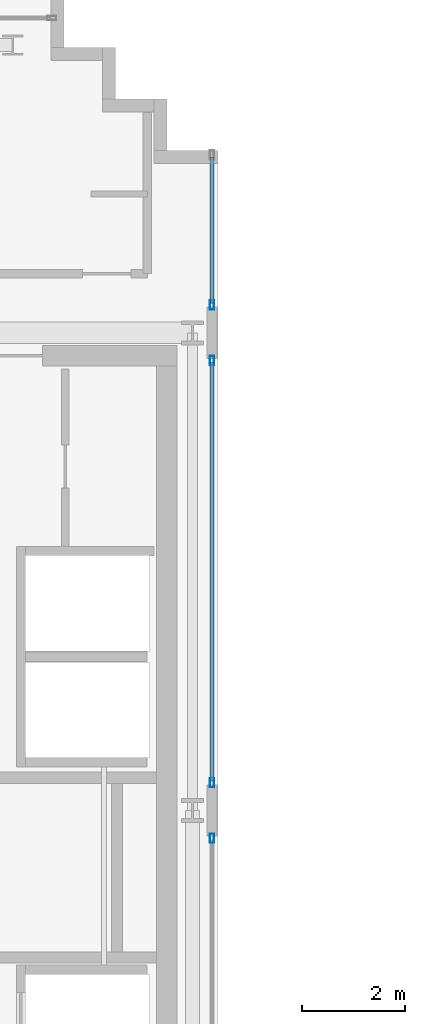
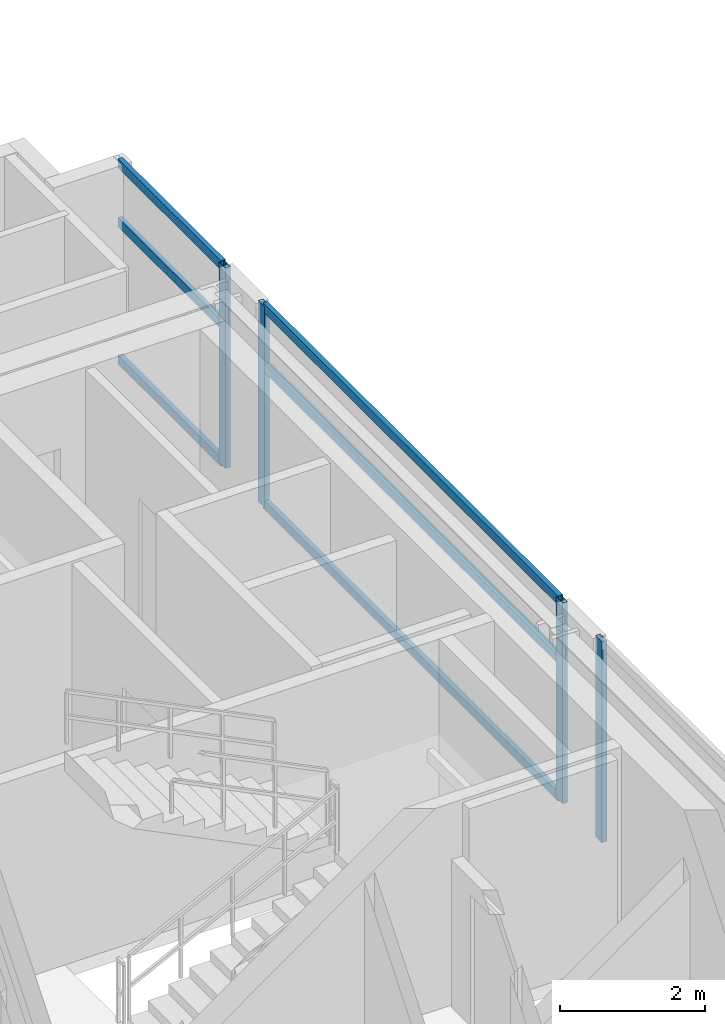
# One storey, part 7 of 25: 10 members, 3 elements without a shape of their own.
"""IFC4 building model written with IfcOpenShell, lengths in metres."""

from ifc_helpers import new_model, si_unit, direction, frame, origin, origin_2d, place, context, subcontext, project, spatial, hollow_rectangle, extrude, source, transform, mapped, material, layer, layer_set, material_profile, profile_set, type_object, element, aggregate, save


model = new_model("IFC4")

# Units and contexts
model_context = context("Model", 3, precision=1e-05, world=origin(), true_north=direction((0.0, 1.0)))
body_context = subcontext(model_context, "Body", "Model", "MODEL_VIEW")
ifc_project = project(units=[si_unit("LENGTHUNIT", "METRE"), si_unit("AREAUNIT", "SQUARE_METRE"), si_unit("VOLUMEUNIT", "CUBIC_METRE"), si_unit("PLANEANGLEUNIT", "RADIAN"), si_unit("MASSUNIT", "GRAM", prefix="KILO")], contexts=[model_context])

# Site, building, storey
site_placement = place(None, origin())
site = spatial("IfcSite", under=ifc_project, at=site_placement, CompositionType="ELEMENT")
building_placement = place(site_placement, origin())
building = spatial("IfcBuilding", under=site, at=building_placement, Name="Ocotamira Hotel", CompositionType="ELEMENT")
storey_placement = place(building_placement, frame((0.0, 0.0, 258.0)))
storey = spatial("IfcBuildingStorey", under=building, at=storey_placement, Name="L65", CompositionType="ELEMENT", Elevation=258.0)

# Curtain wall, member
ifc_material_1 = material(Name="Anodised pale-metal aluminium and solar glass", Category="aluminium")
ifc_layer = layer(ifc_material_1, 0.2099609375)
ifc_layer_set = layer_set([ifc_layer], Name="Anodised pale-metal aluminium and solar glass")
curtain_wall_type = type_object("IfcCurtainWallType", Name="CW-SYS7-PEAK", PredefinedType="NOTDEFINED", material=ifc_layer_set)
curtain_wall_1_placement = place(storey_placement, origin())
curtain_wall_1 = element("IfcCurtainWall", 1, at=curtain_wall_1_placement, inside=storey, type_object=curtain_wall_type, Name="L65 Curtain Wall CW-7 CW-L65-WI2", PredefinedType="NOTDEFINED")
ifc_material_2 = material(Name="Anodised pale-metal aluminium 6063-T6", Category="aluminium")
ifc_material_profile_1 = material_profile(ifc_material_2, hollow_rectangle(XDim=0.080078125, YDim=0.179931640625, WallThickness=0.006103515625, at=origin_2d()), Name="HSS180X80X6")
ifc_profile_set_1 = profile_set([ifc_material_profile_1], Name="Anodised pale-metal aluminium 6063-T6")
member_type_1 = type_object("IfcMemberType", Name="CWM-180X75", PredefinedType="MULLION", material=ifc_profile_set_1)
shared_shape_1 = source(origin(), body_context, "Body", "SweptSolid", [
    extrude(hollow_rectangle(XDim=0.080078125, YDim=0.179931640625, WallThickness=0.006103515625, at=origin_2d()), origin(), (0.0, 0.0, 1.0), 3.3798828125),
])
member_1_placement = place(storey_placement, frame((23.8798828125, 27.610107421875, 0.0), z_axis=(0.0, 0.0, 1.0), x_axis=(-1.0, 0.0, 0.0)))
member_1 = element("IfcMember", 2, at=member_1_placement, type_object=member_type_1, Name="CW-7 mullion 3", PredefinedType="MULLION", context=body_context, shape_type="MappedRepresentation", body=[
    mapped(shared_shape_1, transform((0.0, 0.0, 0.0), scale=1.0)),
])
aggregate(curtain_wall_1, [member_1])

# Curtain wall, members
curtain_wall_2_placement = place(storey_placement, origin())
curtain_wall_2 = element("IfcCurtainWall", 3, at=curtain_wall_2_placement, inside=storey, type_object=curtain_wall_type, Name="L65 Curtain Wall CW-7 CW-L65-WI3", PredefinedType="NOTDEFINED")
member_2_placement = place(storey_placement, frame((23.8798828125, 28.68994140625, 0.0), z_axis=(0.0, 0.0, 1.0), x_axis=(-1.0, 0.0, 0.0)))
member_2 = element("IfcMember", 4, at=member_2_placement, type_object=member_type_1, Name="CW-7 mullion 1", PredefinedType="MULLION", context=body_context, shape_type="MappedRepresentation", body=[
    mapped(shared_shape_1, transform((0.0, 0.0, 0.0), scale=1.0)),
])
member_3_placement = place(storey_placement, frame((23.8798828125, 36.909912109375, 0.0), z_axis=(0.0, 0.0, 1.0), x_axis=(-1.0, 0.0, 0.0)))
member_3 = element("IfcMember", 5, at=member_3_placement, type_object=member_type_1, Name="CW-7 mullion 2", PredefinedType="MULLION", context=body_context, shape_type="MappedRepresentation", body=[
    mapped(shared_shape_1, transform((0.0, 0.0, 0.0), scale=1.0)),
])

curtain_wall_3_placement = place(storey_placement, origin())
curtain_wall_3 = element("IfcCurtainWall", 6, at=curtain_wall_3_placement, inside=storey, type_object=curtain_wall_type, Name="L65 Curtain Wall CW-7 CW-L65-WI4", PredefinedType="NOTDEFINED")
member_4_placement = place(storey_placement, frame((23.8798828125, 37.989990234375, 0.0), z_axis=(0.0, 0.0, 1.0), x_axis=(-1.0, 0.0, 0.0)))
member_4 = element("IfcMember", 7, at=member_4_placement, type_object=member_type_1, Name="CW-7 mullion 1", PredefinedType="MULLION", context=body_context, shape_type="MappedRepresentation", body=[
    mapped(shared_shape_1, transform((0.0, 0.0, 0.0), scale=1.0)),
])
ifc_material_profile_2 = material_profile(ifc_material_2, hollow_rectangle(XDim=0.074951171875, YDim=0.14990234375, WallThickness=0.006103515625, at=origin_2d()), Name="HSS150X75X6")
ifc_profile_set_2 = profile_set([ifc_material_profile_2], Name="Anodised pale-metal aluminium 6063-T6")
member_type_2 = type_object("IfcMemberType", Name="CWT-150X75", PredefinedType="USERDEFINED", material=ifc_profile_set_2)
shared_shape_2 = source(origin(), body_context, "Body", "SweptSolid", [
    extrude(hollow_rectangle(XDim=0.074951171875, YDim=0.14990234375, WallThickness=0.006103515625, at=origin_2d()), origin(), (0.0, 0.0, 1.0), 2.840087890625),
])
member_5_placement = place(storey_placement, frame((23.8798828125, 38.030029296875, 0.03759765625), z_axis=(0.0, 1.0, 0.0), x_axis=(-1.0, 0.0, 0.0)))
member_5 = element("IfcMember", 8, at=member_5_placement, type_object=member_type_2, Name="CW-7 transom 1.1", ObjectType="TRANSOM", PredefinedType="USERDEFINED", context=body_context, shape_type="MappedRepresentation", body=[
    mapped(shared_shape_2, transform((0.0, 0.0, 0.0), scale=1.0)),
])
member_6_placement = place(storey_placement, frame((23.8798828125, 38.030029296875, 2.35009765625), z_axis=(0.0, 1.0, 0.0), x_axis=(-1.0, 0.0, 0.0)))
member_6 = element("IfcMember", 9, at=member_6_placement, type_object=member_type_2, Name="CW-7 transom 1.2", ObjectType="TRANSOM", PredefinedType="USERDEFINED", context=body_context, shape_type="MappedRepresentation", body=[
    mapped(shared_shape_2, transform((0.0, 0.0, 0.0), scale=1.0)),
])
member_7_placement = place(storey_placement, frame((23.8798828125, 38.030029296875, 3.342529296875), z_axis=(0.0, 1.0, 0.0), x_axis=(-1.0, 0.0, 0.0)))
member_7 = element("IfcMember", 10, at=member_7_placement, type_object=member_type_2, Name="CW-7 transom 1.3", ObjectType="TRANSOM", PredefinedType="USERDEFINED", context=body_context, shape_type="MappedRepresentation", body=[
    mapped(shared_shape_2, transform((0.0, 0.0, 0.0), scale=1.0)),
])
aggregate(curtain_wall_3, [member_4, member_5, member_6, member_7])

# Member
shared_shape_3 = source(origin(), body_context, "Body", "SweptSolid", [
    extrude(hollow_rectangle(XDim=0.074951171875, YDim=0.14990234375, WallThickness=0.006103515625, at=origin_2d()), origin(), (0.0, 0.0, 1.0), 8.14013671875),
])
member_8_placement = place(storey_placement, frame((23.8798828125, 28.72998046875, 0.03759765625), z_axis=(0.0, 1.0, 0.0), x_axis=(-1.0, 0.0, 0.0)))
member_8 = element("IfcMember", 11, at=member_8_placement, type_object=member_type_2, Name="CW-7 transom 1.1", ObjectType="TRANSOM", PredefinedType="USERDEFINED", context=body_context, shape_type="MappedRepresentation", body=[
    mapped(shared_shape_3, transform((0.0, 0.0, 0.0), scale=1.0)),
])

member_9_placement = place(storey_placement, frame((23.8798828125, 28.72998046875, 2.35009765625), z_axis=(0.0, 1.0, 0.0), x_axis=(-1.0, 0.0, 0.0)))
member_9 = element("IfcMember", 12, at=member_9_placement, type_object=member_type_2, Name="CW-7 transom 1.2", ObjectType="TRANSOM", PredefinedType="USERDEFINED", context=body_context, shape_type="MappedRepresentation", body=[
    mapped(shared_shape_3, transform((0.0, 0.0, 0.0), scale=1.0)),
])

member_10_placement = place(storey_placement, frame((23.8798828125, 28.72998046875, 3.342529296875), z_axis=(0.0, 1.0, 0.0), x_axis=(-1.0, 0.0, 0.0)))
member_10 = element("IfcMember", 13, at=member_10_placement, type_object=member_type_2, Name="CW-7 transom 1.3", ObjectType="TRANSOM", PredefinedType="USERDEFINED", context=body_context, shape_type="MappedRepresentation", body=[
    mapped(shared_shape_3, transform((0.0, 0.0, 0.0), scale=1.0)),
])

aggregate(curtain_wall_2, [member_2, member_3, member_8, member_9, member_10])

save(model, "model.ifc")
